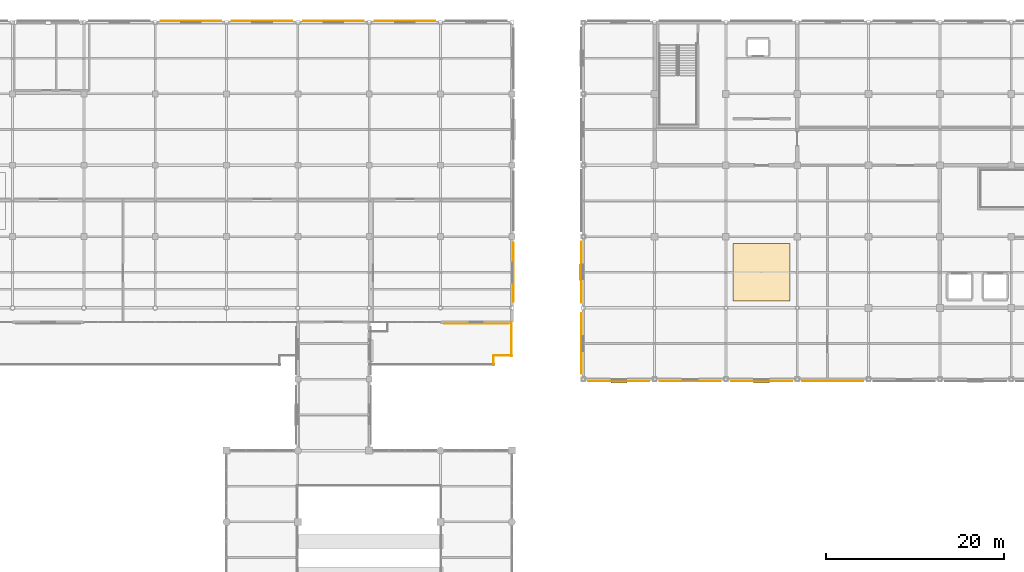
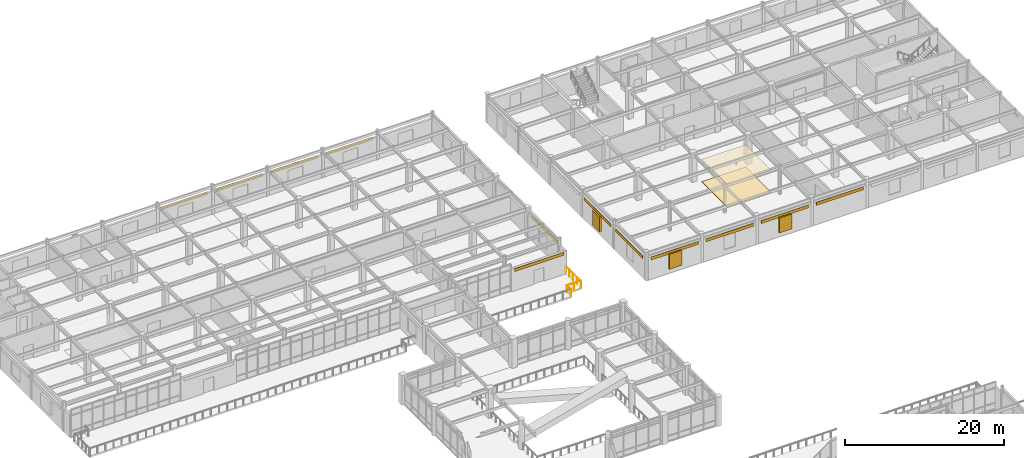
# One storey, part 88 of 93: 14 coverings, 3 railings, 3 shading devices.
"""IFC4 building model written with IfcOpenShell, lengths in metres."""

import ifcopenshell
import ifcopenshell.guid

model = None  # the IFC model being written
_history = None  # IfcOwnerHistory: only IFC2X3 demands one
_inside = {}  # id of a spatial element -> (the spatial element, [elements in it])
_under = {}  # id of a project, library or spatial element -> (it, [spatial elements below it])
_declared = {}  # id of a project -> (the project, [libraries it declares])
_typed = {}  # id of a type object -> (the type object, [elements of that type])
_made_of = {}  # id of a material, layer set ... -> (it, [elements and type objects made of it])


def new_model(schema):
    """Start an empty IFC model of exactly this schema.

    Asked for "IFC4X3", IfcOpenShell would pick the latest addendum, in which some entities
    have other attributes; the version numbers below select the first issue.
    IFC2X3 requires an IfcOwnerHistory on every rooted entity: one is made here for all.
    """
    global model, _history
    if schema == "IFC4X3":
        model = ifcopenshell.file(schema_version=(4, 3, 0, 0))
    else:
        model = ifcopenshell.file(schema=schema)
    _inside.clear()
    _under.clear()
    _declared.clear()
    _typed.clear()
    _made_of.clear()
    _history = None
    if model.schema == "IFC2X3":
        org = make("IfcOrganization", Name="unknown")
        user = make(
            "IfcPersonAndOrganization",
            ThePerson=make("IfcPerson", FamilyName="unknown"),
            TheOrganization=org,
        )
        app = make(
            "IfcApplication",
            ApplicationDeveloper=org,
            Version="unknown",
            ApplicationFullName="unknown",
            ApplicationIdentifier="unknown",
        )
        _history = make(
            "IfcOwnerHistory",
            OwningUser=user,
            OwningApplication=app,
            ChangeAction="ADDED",
            CreationDate=0,
        )
    return model


def make(cls, **values):
    """One entity of the class cls with the attributes given. An attribute that is None is left unset."""
    return model.create_entity(
        cls, **{name: value for name, value in values.items() if value is not None}
    )


def rooted(cls, **values):
    """An entity with a GlobalId (a new one), such as an element, a storey or a relation."""
    return make(cls, GlobalId=ifcopenshell.guid.new(), OwnerHistory=_history, **values)


def si_unit(unit_type, name, prefix=None):
    """IfcSIUnit, for example si_unit("LENGTHUNIT", "METRE", prefix="MILLI")."""
    return make("IfcSIUnit", UnitType=unit_type, Prefix=prefix, Name=name)


def assignment(units):
    """IfcUnitAssignment: the units of a project."""
    return None if units is None else make("IfcUnitAssignment", Units=units)


def point(xyz):
    """IfcCartesianPoint."""
    return None if xyz is None else make("IfcCartesianPoint", Coordinates=xyz)


def direction(xyz):
    """IfcDirection."""
    return None if xyz is None else make("IfcDirection", DirectionRatios=xyz)


def frame(location, z_axis=None, x_axis=None):
    """IfcAxis2Placement3D, a coordinate frame: its origin and axes. An axis left out is left unset."""
    return make(
        "IfcAxis2Placement3D",
        Location=point(location),
        Axis=direction(z_axis),
        RefDirection=direction(x_axis),
    )


def frame_2d(location, x_axis=None):
    """IfcAxis2Placement2D, a coordinate frame in the plane: its origin and x axis."""
    return make(
        "IfcAxis2Placement2D", Location=point(location), RefDirection=direction(x_axis)
    )


def origin():
    """The frame at (0, 0, 0) with its axes left unset."""
    return frame((0.0, 0.0, 0.0))


def origin_2d():
    """The frame at (0, 0) in the plane with its x axis left unset."""
    return frame_2d((0.0, 0.0))


def place(relative_to, where):
    """IfcLocalPlacement: puts the frame where relative to a parent placement (None: the world)."""
    return make(
        "IfcLocalPlacement", PlacementRelTo=relative_to, RelativePlacement=where
    )


def context(
    kind, dimensions, precision=None, world=None, true_north=None, identifier=None
):
    """IfcGeometricRepresentationContext, for example the 3D "Model" context."""
    return make(
        "IfcGeometricRepresentationContext",
        ContextIdentifier=identifier,
        ContextType=kind,
        CoordinateSpaceDimension=dimensions,
        Precision=precision,
        WorldCoordinateSystem=world,
        TrueNorth=true_north,
    )


def subcontext(parent, identifier, kind, view, scale=None):
    """IfcGeometricRepresentationSubContext, for example "Body" below "Model"."""
    return make(
        "IfcGeometricRepresentationSubContext",
        ContextIdentifier=identifier,
        ContextType=kind,
        ParentContext=parent,
        TargetScale=scale,
        TargetView=view,
    )


def project(units=None, contexts=None):
    """IfcProject with its units and contexts."""
    return rooted(
        "IfcProject",
        Name="project",
        RepresentationContexts=contexts,
        UnitsInContext=assignment(units),
    )


def spatial(cls, under=None, at=None, **own):
    """A site, building, storey or space (cls), placed at a placement, below another one or the project."""
    s = rooted(cls, ObjectPlacement=at, **own)
    if under is not None:
        _under.setdefault(under.id(), (under, []))[1].append(s)
    return s


def polyline(points):
    """IfcPolyline through the points."""
    return make("IfcPolyline", Points=[point(p) for p in points])


def profile(cls, at=None, kind="AREA", **sizes):
    """A parametric profile (cls). Its sizes go by their IFC names, for example OverallWidth=200.0."""
    return make(cls, ProfileType=kind, Position=at, **sizes)


def rectangle(**sizes):
    """IfcRectangleProfileDef."""
    return profile("IfcRectangleProfileDef", **sizes)


def circle(**sizes):
    """IfcCircleProfileDef."""
    return profile("IfcCircleProfileDef", **sizes)


def outline(outer, holes=None, kind="AREA"):
    """IfcArbitraryClosedProfileDef: a profile drawn as a closed curve; with holes, ...WithVoids."""
    if holes is None:
        return make("IfcArbitraryClosedProfileDef", ProfileType=kind, OuterCurve=outer)
    return make(
        "IfcArbitraryProfileDefWithVoids",
        ProfileType=kind,
        OuterCurve=outer,
        InnerCurves=holes,
    )


def extrude(swept, where, along, depth):
    """IfcExtrudedAreaSolid: the profile swept, set in the frame where, extruded along a direction by depth."""
    return make(
        "IfcExtrudedAreaSolid",
        SweptArea=swept,
        Position=where,
        ExtrudedDirection=direction(along),
        Depth=depth,
    )


def shape(context_of_items, identifier, shape_type, items):
    """IfcShapeRepresentation: the items that make up one representation, for example the "Body"."""
    return make(
        "IfcShapeRepresentation",
        ContextOfItems=context_of_items,
        RepresentationIdentifier=identifier,
        RepresentationType=shape_type,
        Items=items,
    )


def material(Name=None, Category=None):
    """IfcMaterial."""
    return make("IfcMaterial", Name=Name, Category=Category)


def layer(
    of_material, thickness, ventilated=None, Name=None, Category=None, Priority=None
):
    """IfcMaterialLayer: one layer of a wall or slab, of a material (None: an air gap)."""
    return make(
        "IfcMaterialLayer",
        Material=of_material,
        LayerThickness=thickness,
        IsVentilated=ventilated,
        Name=Name,
        Category=Category,
        Priority=Priority,
    )


def layer_set(layers, Name=None):
    """IfcMaterialLayerSet."""
    return make("IfcMaterialLayerSet", MaterialLayers=layers, LayerSetName=Name)


def made_of(thing, what):
    """Note that an element or type object is made of a material, layer set ...; save() writes the relation."""
    if what is not None:
        _made_of.setdefault(what.id(), (what, []))[1].append(thing)
    return thing


def type_object(cls, material=None, **own):
    """A type object (cls), such as IfcWallType, which elements share."""
    return made_of(rooted(cls, **own), material)


def element(
    cls,
    number,
    at=None,
    inside=None,
    cuts=None,
    type_object=None,
    material=None,
    context=None,
    identifier="Body",
    shape_type=None,
    held_by="IfcProductDefinitionShape",
    body=None,
    shapes=None,
    **own,
):
    """One element of the class cls, such as IfcWall. Its Tag is "e" and its number.

    at: its placement. inside: the storey or other place that contains it. cuts: it is an
    opening in that element (IfcRelVoidsElement). A single representation is given by context,
    identifier, shape_type and body (its items); several are given by shapes. held_by: the class
    of the entity that holds the representations. save() writes the other relations.
    """
    e = rooted(cls, Tag="e%d" % number, ObjectPlacement=at, **own)
    if body is not None:
        shapes = [shape(context, identifier, shape_type, body)]
    if shapes is not None:
        e.Representation = make(held_by, Representations=shapes)
    if inside is not None:
        _inside.setdefault(inside.id(), (inside, []))[1].append(e)
    if cuts is not None:
        rooted(
            "IfcRelVoidsElement", RelatingBuildingElement=cuts, RelatedOpeningElement=e
        )
    if type_object is not None:
        _typed.setdefault(type_object.id(), (type_object, []))[1].append(e)
    return made_of(e, material)


def aggregate(whole, parts):
    """IfcRelAggregates: a whole, such as a stair, and the parts it consists of."""
    return rooted("IfcRelAggregates", RelatingObject=whole, RelatedObjects=parts)


def save(model, path):
    """Write the relations noted so far, then the file.

    IfcRelAggregates (storeys below a building ...), IfcRelContainedInSpatialStructure (elements
    in a storey), IfcRelDefinesByType, IfcRelAssociatesMaterial and IfcRelDeclares: one each for
    every whole, place, type object, material and project.
    """
    for whole, parts in _under.values():
        aggregate(whole, parts)
    for where, things in _inside.values():
        rooted(
            "IfcRelContainedInSpatialStructure",
            RelatedElements=things,
            RelatingStructure=where,
        )
    for kind, things in _typed.values():
        rooted("IfcRelDefinesByType", RelatedObjects=things, RelatingType=kind)
    for what, things in _made_of.values():
        rooted("IfcRelAssociatesMaterial", RelatedObjects=things, RelatingMaterial=what)
    for by, libraries in _declared.values():
        rooted("IfcRelDeclares", RelatingContext=by, RelatedDefinitions=libraries)
    model.write(path)


model = new_model("IFC4")

# Units and contexts
model_context = context("Model", 3, precision=1e-05, world=origin(), true_north=direction((0.0, 1.0)))
body_context = subcontext(model_context, "Body", "Model", "MODEL_VIEW")
ifc_project = project(units=[si_unit("LENGTHUNIT", "METRE"), si_unit("AREAUNIT", "SQUARE_METRE"), si_unit("VOLUMEUNIT", "CUBIC_METRE"), si_unit("PLANEANGLEUNIT", "RADIAN"), si_unit("MASSUNIT", "GRAM", prefix="KILO")], contexts=[model_context])

# Site, building, storey
site_placement = place(None, origin())
site = spatial("IfcSite", under=ifc_project, at=site_placement, CompositionType="ELEMENT")
building_placement = place(site_placement, origin())
building = spatial("IfcBuilding", under=site, at=building_placement, Name="Solmirada Galleria", CompositionType="ELEMENT")
storey_placement = place(building_placement, frame((0.0, 0.0, 14.89990234375)))
storey = spatial("IfcBuildingStorey", under=building, at=storey_placement, Name="L03", CompositionType="ELEMENT", Elevation=14.89990234375)

# Coverings
ifc_material_1 = material(Name="Perforated acoustic mineral-fibre ceiling")
ifc_layer_1 = layer(ifc_material_1, 0.02490234375)
ifc_layer_set_1 = layer_set([ifc_layer_1], Name="Perforated acoustic mineral-fibre ceiling")
covering_type_1 = type_object("IfcCoveringType", Name="COV-CEIL-ACOUST", PredefinedType="CEILING", material=ifc_layer_set_1)
covering_1_placement = place(storey_placement, frame((0.0, 0.0, 3.4501953125)))
element("IfcCovering", 1, at=covering_1_placement, inside=storey, type_object=covering_type_1, Name="Acoustic ceiling panel L03-3", PredefinedType="CEILING", context=body_context, shape_type="SweptSolid", body=[
    extrude(outline(polyline([(136.800048828125, 88.800048828125), (143.199951171875, 88.800048828125), (143.199951171875, 95.199951171875), (136.800048828125, 95.199951171875), (136.800048828125, 88.800048828125)])), origin(), (0.0, 0.0, 1.0), 0.02490234375),
])
ifc_material_2 = material(Name="Limestone cladding panels", Category="masonry")
ifc_layer_2 = layer(ifc_material_2, 0.044921875)
ifc_layer_set_2 = layer_set([ifc_layer_2], Name="Limestone cladding panels")
covering_type_2 = type_object("IfcCoveringType", Name="COV-CLAD-LIME", PredefinedType="CLADDING", material=ifc_layer_set_2)
for number, where, z_axis, x_axis, name in (
    (2, (84.0, 120.177490234375, 2.990234375), (0.0, 0.0, 1.0), (1.0, 0.0, 0.0), "Postmodern facade cladding L03-194"),
    (3, (100.0, 120.177490234375, 2.990234375), (0.0, 0.0, 1.0), (1.0, 0.0, 0.0), "Postmodern facade cladding L03-196"),
):
    element("IfcCovering", number, at=place(storey_placement, frame(where, z_axis=z_axis, x_axis=x_axis)), inside=storey, type_object=covering_type_2, Name=name, PredefinedType="CLADDING", context=body_context, shape_type="SweptSolid", body=[
        extrude(rectangle(XDim=6.7939453125, YDim=0.044921875, at=origin_2d()), origin(), (0.0, 0.0, 1.0), 0.4599609375),
    ])
for number, where, z_axis, x_axis, name in (
    (4, (148.0, 79.822509765625, 2.990234375), (0.0, 0.0, 1.0), (-1.0, 0.0, 0.0), "Postmodern facade cladding L03-236"),
    (5, (132.0, 79.822509765625, 2.990234375), (0.0, 0.0, 1.0), (-1.0, 0.0, 0.0), "Postmodern facade cladding L03-238"),
):
    element("IfcCovering", number, at=place(storey_placement, frame(where, z_axis=z_axis, x_axis=x_axis)), inside=storey, type_object=covering_type_2, Name=name, PredefinedType="CLADDING", context=body_context, shape_type="SweptSolid", body=[
        extrude(rectangle(XDim=6.843994140625, YDim=0.044921875, at=origin_2d()), origin(), (0.0, 0.0, 1.0), 0.4599609375),
    ])
covering_2_placement = place(storey_placement, frame((119.822509765625, 84.0, 2.990234375), z_axis=(0.0, 0.0, 1.0), x_axis=(0.0, 1.0, 0.0)))
element("IfcCovering", 6, at=covering_2_placement, inside=storey, type_object=covering_type_2, Name="Postmodern facade cladding L03-240", PredefinedType="CLADDING", context=body_context, shape_type="SweptSolid", body=[
    extrude(rectangle(XDim=6.79345703125, YDim=0.044921875, at=origin_2d()), origin(), (0.0, 0.0, 1.0), 0.4599609375),
])
ifc_material_3 = material(Name="Glazed terracotta facade panels", Category="masonry")
ifc_layer_3 = layer(ifc_material_3, 0.0400390625)
ifc_layer_set_3 = layer_set([ifc_layer_3], Name="Glazed terracotta facade panels")
covering_type_3 = type_object("IfcCoveringType", Name="COV-CLAD-TERRA", PredefinedType="CLADDING", material=ifc_layer_set_3)
for number, where, z_axis, x_axis, name in (
    (7, (76.0, 120.175048828125, 2.990234375), (0.0, 0.0, 1.0), (1.0, 0.0, 0.0), "Postmodern facade cladding L03-193"),
    (8, (92.0, 120.175048828125, 2.990234375), (0.0, 0.0, 1.0), (1.0, 0.0, 0.0), "Postmodern facade cladding L03-195"),
):
    element("IfcCovering", number, at=place(storey_placement, frame(where, z_axis=z_axis, x_axis=x_axis)), inside=storey, type_object=covering_type_3, Name=name, PredefinedType="CLADDING", context=body_context, shape_type="SweptSolid", body=[
        extrude(rectangle(XDim=6.7939453125, YDim=0.0400390625, at=origin_2d()), origin(), (0.0, 0.0, 1.0), 0.4599609375),
    ])
covering_3_placement = place(storey_placement, frame((112.175048828125, 92.0, 2.990234375), z_axis=(0.0, 0.0, 1.0), x_axis=(0.0, -1.0, 0.0)))
element("IfcCovering", 9, at=covering_3_placement, inside=storey, type_object=covering_type_3, Name="Postmodern facade cladding L03-201", PredefinedType="CLADDING", context=body_context, shape_type="SweptSolid", body=[
    extrude(rectangle(XDim=6.646484375, YDim=0.0400390625, at=origin_2d()), origin(), (0.0, 0.0, 1.0), 0.4599609375),
])
covering_4_placement = place(storey_placement, frame((108.0, 86.22509765625, 2.990234375), z_axis=(0.0, 0.0, 1.0), x_axis=(-1.0, 0.0, 0.0)))
element("IfcCovering", 10, at=covering_4_placement, inside=storey, type_object=covering_type_3, Name="Postmodern facade cladding L03-202", PredefinedType="CLADDING", context=body_context, shape_type="SweptSolid", body=[
    extrude(rectangle(XDim=7.199951171875, YDim=0.0400390625, at=origin_2d()), origin(), (0.0, 0.0, 1.0), 0.4599609375),
])
for number, where, z_axis, x_axis, name in (
    (11, (140.0, 79.824951171875, 2.990234375), (0.0, 0.0, 1.0), (-1.0, 0.0, 0.0), "Postmodern facade cladding L03-237"),
    (12, (124.0, 79.824951171875, 2.990234375), (0.0, 0.0, 1.0), (-1.0, 0.0, 0.0), "Postmodern facade cladding L03-239"),
):
    element("IfcCovering", number, at=place(storey_placement, frame(where, z_axis=z_axis, x_axis=x_axis)), inside=storey, type_object=covering_type_3, Name=name, PredefinedType="CLADDING", context=body_context, shape_type="SweptSolid", body=[
        extrude(rectangle(XDim=6.843994140625, YDim=0.0400390625, at=origin_2d()), origin(), (0.0, 0.0, 1.0), 0.4599609375),
    ])
covering_5_placement = place(storey_placement, frame((119.824951171875, 92.0, 2.990234375), z_axis=(0.0, 0.0, 1.0), x_axis=(0.0, 1.0, 0.0)))
element("IfcCovering", 13, at=covering_5_placement, inside=storey, type_object=covering_type_3, Name="Postmodern facade cladding L03-241", PredefinedType="CLADDING", context=body_context, shape_type="SweptSolid", body=[
    extrude(rectangle(XDim=6.79345703125, YDim=0.0400390625, at=origin_2d()), origin(), (0.0, 0.0, 1.0), 0.4599609375),
])
ifc_material_4 = material(Name="Polished terrazzo and porcelain tile flooring")
ifc_layer_4 = layer(ifc_material_4, 0.030029296875)
ifc_layer_set_4 = layer_set([ifc_layer_4], Name="Polished terrazzo and porcelain tile flooring")
covering_type_4 = type_object("IfcCoveringType", Name="COV-FLOOR-TERRAZ", PredefinedType="FLOORING", material=ifc_layer_set_4)
covering_6_placement = place(storey_placement, origin())
element("IfcCovering", 14, at=covering_6_placement, inside=storey, type_object=covering_type_4, Name="Terrazzo floor finish L03-3", PredefinedType="FLOORING", context=body_context, shape_type="SweptSolid", body=[
    extrude(outline(polyline([(136.800048828125, 88.800048828125), (143.199951171875, 88.800048828125), (143.199951171875, 95.199951171875), (136.800048828125, 95.199951171875), (136.800048828125, 88.800048828125)])), origin(), (0.0, 0.0, 1.0), 0.030029296875),
])

# Railings
ifc_material_5 = material(Name="Painted galvanized steel balustrade", Category="steel")
railing_type = type_object("IfcRailingType", Name="RAIL-TERR-1100", PredefinedType="GUARDRAIL", material=ifc_material_5)
railing_1_placement = place(storey_placement, frame((109.949951171875, 81.60009765625, 0.0)))
element("IfcRailing", 15, at=railing_1_placement, inside=storey, type_object=railing_type, Name="Terrace guardrail L03-TERR-NE E2.1", PredefinedType="GUARDRAIL", context=body_context, shape_type="SweptSolid", body=[
    extrude(circle(Radius=0.02392578125, at=origin_2d()), frame((0.0, 0.0, 1.09619140625), z_axis=(0.0, 1.0, 0.0), x_axis=(-1.0, 0.0, 0.0)), (0.0, 0.0, 1.0), 1.0),
    extrude(circle(Radius=0.02099609375, at=origin_2d()), origin(), (0.0, 0.0, 1.0), 1.068115234375),
    extrude(circle(Radius=0.02099609375, at=origin_2d()), frame((0.0, 1.0, 0.0)), (0.0, 0.0, 1.0), 1.068115234375),
])
railing_2_placement = place(storey_placement, frame((110.0, 82.64990234375, 0.0)))
element("IfcRailing", 16, at=railing_2_placement, inside=storey, type_object=railing_type, Name="Terrace guardrail L03-TERR-NE E3.1", PredefinedType="GUARDRAIL", context=body_context, shape_type="SweptSolid", body=[
    extrude(circle(Radius=0.02392578125, at=origin_2d()), frame((0.0, 0.0, 1.09619140625), z_axis=(1.0, 0.0, 0.0), x_axis=(0.0, 1.0, 0.0)), (0.0, 0.0, 1.0), 2.0),
    extrude(circle(Radius=0.02099609375, at=origin_2d()), origin(), (0.0, 0.0, 1.0), 1.068115234375),
    extrude(circle(Radius=0.02099609375, at=origin_2d()), frame((1.0, 0.0, 0.0)), (0.0, 0.0, 1.0), 1.068115234375),
    extrude(circle(Radius=0.02099609375, at=origin_2d()), frame((2.0, 0.0, 0.0)), (0.0, 0.0, 1.0), 1.068115234375),
])
railing_3_placement = place(storey_placement, frame((111.949951171875, 82.60009765625, 0.0)))
element("IfcRailing", 17, at=railing_3_placement, inside=storey, type_object=railing_type, Name="Terrace guardrail L03-TERR-NE E4.1", PredefinedType="GUARDRAIL", context=body_context, shape_type="SweptSolid", body=[
    extrude(circle(Radius=0.02392578125, at=origin_2d()), frame((0.0, 0.0, 1.09619140625), z_axis=(0.0, 1.0, 0.0), x_axis=(-1.0, 0.0, 0.0)), (0.0, 0.0, 1.0), 3.7998046875),
    extrude(circle(Radius=0.02099609375, at=origin_2d()), origin(), (0.0, 0.0, 1.0), 1.068115234375),
    extrude(circle(Radius=0.02099609375, at=origin_2d()), frame((0.0, 0.949951171875, 0.0)), (0.0, 0.0, 1.0), 1.068115234375),
    extrude(circle(Radius=0.02099609375, at=origin_2d()), frame((0.0, 1.89990234375, 0.0)), (0.0, 0.0, 1.0), 1.068115234375),
    extrude(circle(Radius=0.02099609375, at=origin_2d()), frame((0.0, 2.849853515625, 0.0)), (0.0, 0.0, 1.0), 1.068115234375),
    extrude(circle(Radius=0.02099609375, at=origin_2d()), frame((0.0, 3.7998046875, 0.0)), (0.0, 0.0, 1.0), 1.068115234375),
])

# Shading devices
ifc_material_6 = material(Name="Extruded aluminium storm louvres", Category="aluminium")
shading_device_type = type_object("IfcShadingDeviceType", Name="SHD-JALOUSIE", PredefinedType="JALOUSIE", material=ifc_material_6)
for number, where, z_axis, x_axis, name in (
    (18, (140.0, 79.715087890625, 0.80029296875), (0.0, 0.0, 1.0), (-1.0, 0.0, 0.0), "Hurricane storm jalousie louvre 076"),
    (19, (124.0, 79.715087890625, 0.80029296875), (0.0, 0.0, 1.0), (-1.0, 0.0, 0.0), "Hurricane storm jalousie louvre 077"),
    (20, (119.715087890625, 92.0, 0.80029296875), (0.0, 0.0, 1.0), (0.0, 1.0, 0.0), "Hurricane storm jalousie louvre 078"),
):
    element("IfcShadingDevice", number, at=place(storey_placement, frame(where, z_axis=z_axis, x_axis=x_axis)), inside=storey, type_object=shading_device_type, Name=name, PredefinedType="JALOUSIE", context=body_context, shape_type="SweptSolid", body=[
        extrude(rectangle(XDim=1.81005859375, YDim=0.260009765625, at=origin_2d()), origin(), (0.0, 0.0, 1.0), 2.300048828125),
    ])

save(model, "model.ifc")
